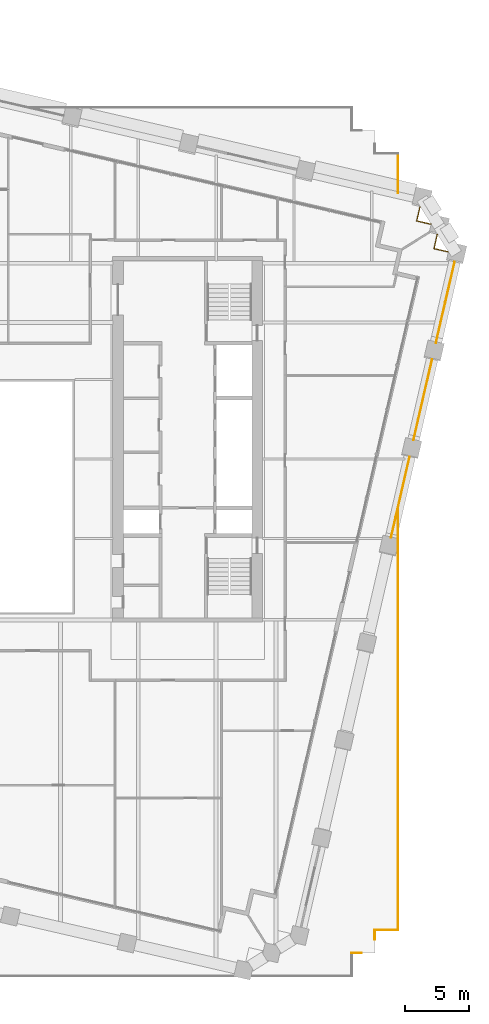
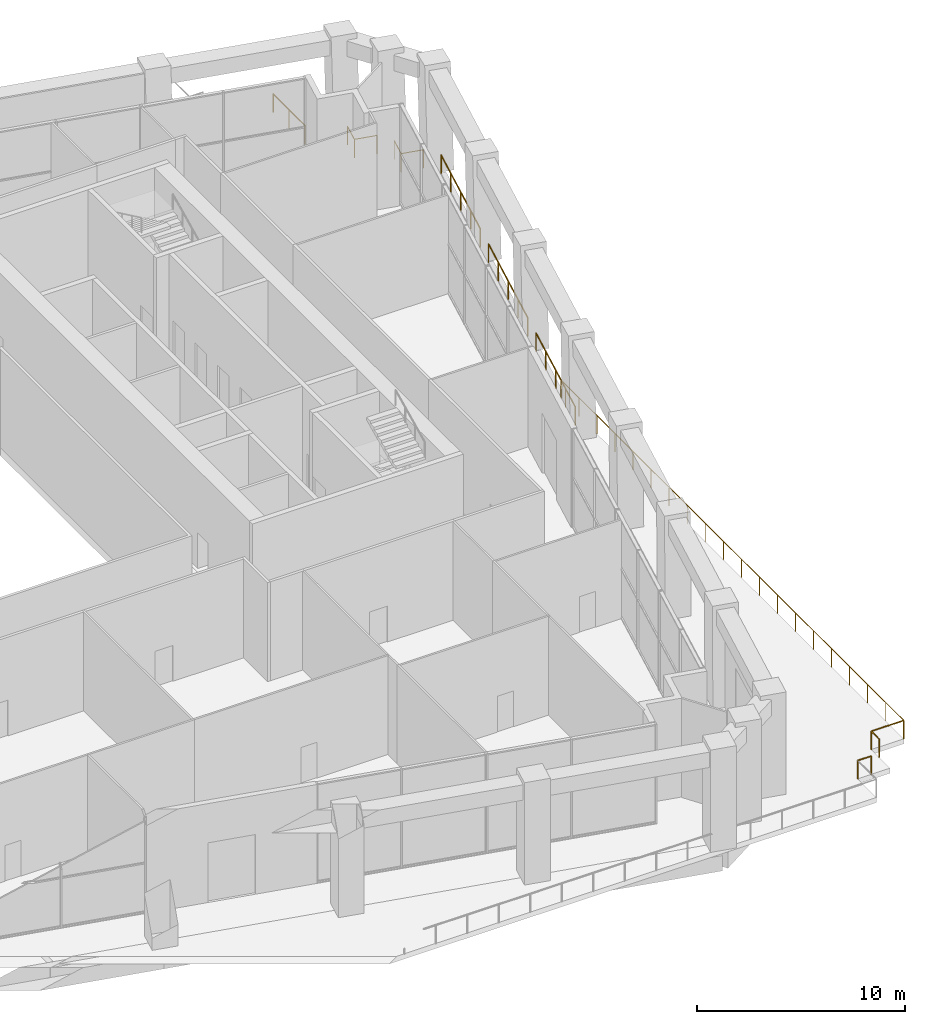
# One storey, part 22 of 23: 10 railings.
"""IFC4 building model written with IfcOpenShell, lengths in metres."""

from ifc_helpers import new_model, si_unit, direction, frame, origin, origin_2d, place, context, subcontext, project, spatial, circle, extrude, material, type_object, element, save


model = new_model("IFC4")

# Units and contexts
model_context = context("Model", 3, precision=1e-05, world=origin(), true_north=direction((0.0, 1.0)))
body_context = subcontext(model_context, "Body", "Model", "MODEL_VIEW")
ifc_project = project(units=[si_unit("LENGTHUNIT", "METRE"), si_unit("AREAUNIT", "SQUARE_METRE"), si_unit("VOLUMEUNIT", "CUBIC_METRE"), si_unit("PLANEANGLEUNIT", "RADIAN"), si_unit("MASSUNIT", "GRAM", prefix="KILO")], contexts=[model_context])

# Site, building, storey
site_placement = place(None, origin())
site = spatial("IfcSite", under=ifc_project, at=site_placement, CompositionType="ELEMENT")
building_placement = place(site_placement, origin())
building = spatial("IfcBuilding", under=site, at=building_placement, Name="Ogive Exchange Tower", CompositionType="ELEMENT")
storey_placement = place(building_placement, frame((0.0, 0.0, 99.60009765625)))
storey = spatial("IfcBuildingStorey", under=building, at=storey_placement, Name="L21", CompositionType="ELEMENT", Elevation=99.60009765625)

# Railings
ifc_material = material(Name="Stainless steel 316", Category="steel")
railing_type_1 = type_object("IfcRailingType", Name="Balustrade 1100 glass and stainless steel", PredefinedType="BALUSTRADE", material=ifc_material)
railing_1_placement = place(storey_placement, frame((32.39990234375, -26.800048828125, 0.0)))
element("IfcRailing", 1, at=railing_1_placement, inside=storey, type_object=railing_type_1, Name="Terrace balustrade 1", PredefinedType="BALUSTRADE", context=body_context, shape_type="SweptSolid", body=[
    extrude(circle(Radius=0.02392578125, at=origin_2d()), frame((0.0, 0.0, 1.076171875), z_axis=(-1.0, 0.0, 0.0), x_axis=(0.0, -1.0, 0.0)), (0.0, 0.0, 1.0), 1.7998046875),
    extrude(circle(Radius=0.02099609375, at=origin_2d()), origin(), (0.0, 0.0, 1.0), 1.052001953125),
    extrude(circle(Radius=0.02099609375, at=origin_2d()), frame((-1.7998046875, 0.0, 0.0)), (0.0, 0.0, 1.0), 1.052001953125),
])
railing_2_placement = place(storey_placement, frame((30.60009765625, -26.800048828125, 0.0)))
element("IfcRailing", 2, at=railing_2_placement, inside=storey, type_object=railing_type_1, Name="Terrace balustrade 2", PredefinedType="BALUSTRADE", context=body_context, shape_type="SweptSolid", body=[
    extrude(circle(Radius=0.02392578125, at=origin_2d()), frame((0.0, 0.0, 1.076171875), z_axis=(0.0, -1.0, 0.0), x_axis=(1.0, 0.0, 0.0)), (0.0, 0.0, 1.0), 0.75),
    extrude(circle(Radius=0.02099609375, at=origin_2d()), origin(), (0.0, 0.0, 1.0), 1.052001953125),
    extrude(circle(Radius=0.02099609375, at=origin_2d()), frame((0.0, -0.75, 0.0)), (0.0, 0.0, 1.0), 1.052001953125),
])
railing_3_placement = place(storey_placement, frame((29.550048828125, -28.60009765625, 0.0)))
element("IfcRailing", 3, at=railing_3_placement, inside=storey, type_object=railing_type_1, Name="Terrace balustrade 3", PredefinedType="BALUSTRADE", context=body_context, shape_type="SweptSolid", body=[
    extrude(circle(Radius=0.02392578125, at=origin_2d()), frame((0.0, 0.0, 1.076171875), z_axis=(-1.0, 0.0, 0.0), x_axis=(0.0, -1.0, 0.0)), (0.0, 0.0, 1.0), 0.75),
    extrude(circle(Radius=0.02099609375, at=origin_2d()), origin(), (0.0, 0.0, 1.0), 1.052001953125),
    extrude(circle(Radius=0.02099609375, at=origin_2d()), frame((-0.75, 0.0, 0.0)), (0.0, 0.0, 1.0), 1.052001953125),
])
railing_4_placement = place(storey_placement, frame((32.39990234375, 6.142578125, 0.0)))
element("IfcRailing", 4, at=railing_4_placement, inside=storey, type_object=railing_type_1, Name="Terrace balustrade 11", PredefinedType="BALUSTRADE", context=body_context, shape_type="SweptSolid", body=[
    extrude(circle(Radius=0.02392578125, at=origin_2d()), frame((0.0, 0.0, 1.076171875), z_axis=(0.0, -1.0, 0.0), x_axis=(1.0, 0.0, 0.0)), (0.0, 0.0, 1.0), 32.942626953125),
    extrude(circle(Radius=0.02099609375, at=origin_2d()), origin(), (0.0, 0.0, 1.0), 1.052001953125),
    extrude(circle(Radius=0.02099609375, at=origin_2d()), frame((0.0, -1.73388671875, 0.0)), (0.0, 0.0, 1.0), 1.052001953125),
    extrude(circle(Radius=0.02099609375, at=origin_2d()), frame((0.0, -3.467529296875, 0.0)), (0.0, 0.0, 1.0), 1.052001953125),
    extrude(circle(Radius=0.02099609375, at=origin_2d()), frame((0.0, -5.201416015625, 0.0)), (0.0, 0.0, 1.0), 1.052001953125),
    extrude(circle(Radius=0.02099609375, at=origin_2d()), frame((0.0, -6.935302734375, 0.0)), (0.0, 0.0, 1.0), 1.052001953125),
    extrude(circle(Radius=0.02099609375, at=origin_2d()), frame((0.0, -8.669189453125, 0.0)), (0.0, 0.0, 1.0), 1.052001953125),
    extrude(circle(Radius=0.02099609375, at=origin_2d()), frame((0.0, -10.40283203125, 0.0)), (0.0, 0.0, 1.0), 1.052001953125),
    extrude(circle(Radius=0.02099609375, at=origin_2d()), frame((0.0, -12.13671875, 0.0)), (0.0, 0.0, 1.0), 1.052001953125),
    extrude(circle(Radius=0.02099609375, at=origin_2d()), frame((0.0, -13.87060546875, 0.0)), (0.0, 0.0, 1.0), 1.052001953125),
    extrude(circle(Radius=0.02099609375, at=origin_2d()), frame((0.0, -15.6044921875, 0.0)), (0.0, 0.0, 1.0), 1.052001953125),
    extrude(circle(Radius=0.02099609375, at=origin_2d()), frame((0.0, -17.338134765625, 0.0)), (0.0, 0.0, 1.0), 1.052001953125),
    extrude(circle(Radius=0.02099609375, at=origin_2d()), frame((0.0, -19.072021484375, 0.0)), (0.0, 0.0, 1.0), 1.052001953125),
    extrude(circle(Radius=0.02099609375, at=origin_2d()), frame((0.0, -20.805908203125, 0.0)), (0.0, 0.0, 1.0), 1.052001953125),
    extrude(circle(Radius=0.02099609375, at=origin_2d()), frame((0.0, -22.539794921875, 0.0)), (0.0, 0.0, 1.0), 1.052001953125),
    extrude(circle(Radius=0.02099609375, at=origin_2d()), frame((0.0, -24.2734375, 0.0)), (0.0, 0.0, 1.0), 1.052001953125),
    extrude(circle(Radius=0.02099609375, at=origin_2d()), frame((0.0, -26.00732421875, 0.0)), (0.0, 0.0, 1.0), 1.052001953125),
    extrude(circle(Radius=0.02099609375, at=origin_2d()), frame((0.0, -27.7412109375, 0.0)), (0.0, 0.0, 1.0), 1.052001953125),
    extrude(circle(Radius=0.02099609375, at=origin_2d()), frame((0.0, -29.47509765625, 0.0)), (0.0, 0.0, 1.0), 1.052001953125),
    extrude(circle(Radius=0.02099609375, at=origin_2d()), frame((0.0, -31.208740234375, 0.0)), (0.0, 0.0, 1.0), 1.052001953125),
    extrude(circle(Radius=0.02099609375, at=origin_2d()), frame((0.0, -32.942626953125, 0.0)), (0.0, 0.0, 1.0), 1.052001953125),
])
railing_5_placement = place(storey_placement, frame((32.39990234375, 33.800048828125, 0.0)))
element("IfcRailing", 5, at=railing_5_placement, inside=storey, type_object=railing_type_1, Name="Terrace balustrade 22", PredefinedType="BALUSTRADE", context=body_context, shape_type="SweptSolid", body=[
    extrude(circle(Radius=0.02392578125, at=origin_2d()), frame((0.0, 0.0, 1.076171875), z_axis=(0.0, -1.0, 0.0), x_axis=(1.0, 0.0, 0.0)), (0.0, 0.0, 1.0), 3.0673828125),
    extrude(circle(Radius=0.02099609375, at=origin_2d()), origin(), (0.0, 0.0, 1.0), 1.052001953125),
    extrude(circle(Radius=0.02099609375, at=origin_2d()), frame((0.0, -1.53369140625, 0.0)), (0.0, 0.0, 1.0), 1.052001953125),
    extrude(circle(Radius=0.02099609375, at=origin_2d()), frame((0.0, -3.0673828125, 0.0)), (0.0, 0.0, 1.0), 1.052001953125),
])
railing_type_2 = type_object("IfcRailingType", Name="Guard 1100 stainless steel and glass", PredefinedType="GUARDRAIL", material=ifc_material)
railing_6_placement = place(storey_placement, frame((31.86669921875, 3.833251953125, 0.0)))
element("IfcRailing", 6, at=railing_6_placement, inside=storey, type_object=railing_type_2, Name="Loggia guard E04", PredefinedType="GUARDRAIL", context=body_context, shape_type="SweptSolid", body=[
    extrude(circle(Radius=0.02392578125, at=origin_2d()), frame((0.0, 0.0, 1.076171875), z_axis=(0.224978190169, 0.974363799588, 0.0), x_axis=(-0.974363799588, 0.224978190169, 0.0)), (0.0, 0.0, 1.0), 6.4599609375),
    extrude(circle(Radius=0.02099609375, at=origin_2d()), origin(), (0.0, 0.0, 1.0), 1.052001953125),
    extrude(circle(Radius=0.02099609375, at=origin_2d()), frame((0.36328125, 1.57373046875, 0.0)), (0.0, 0.0, 1.0), 1.052001953125),
    extrude(circle(Radius=0.02099609375, at=origin_2d()), frame((0.7265625, 3.147216796875, 0.0)), (0.0, 0.0, 1.0), 1.052001953125),
    extrude(circle(Radius=0.02099609375, at=origin_2d()), frame((1.090087890625, 4.720703125, 0.0)), (0.0, 0.0, 1.0), 1.052001953125),
    extrude(circle(Radius=0.02099609375, at=origin_2d()), frame((1.453369140625, 6.29443359375, 0.0)), (0.0, 0.0, 1.0), 1.052001953125),
])
railing_7_placement = place(storey_placement, frame((33.62158203125, 11.433349609375, 0.0)))
element("IfcRailing", 7, at=railing_7_placement, inside=storey, type_object=railing_type_2, Name="Loggia guard E05", PredefinedType="GUARDRAIL", context=body_context, shape_type="SweptSolid", body=[
    extrude(circle(Radius=0.02392578125, at=origin_2d()), frame((0.0, 0.0, 1.076171875), z_axis=(0.224942310176, 0.974372083494, 0.0), x_axis=(-0.974372083494, 0.224942310176, 0.0)), (0.0, 0.0, 1.0), 6.4599609375),
    extrude(circle(Radius=0.02099609375, at=origin_2d()), origin(), (0.0, 0.0, 1.0), 1.052001953125),
    extrude(circle(Radius=0.02099609375, at=origin_2d()), frame((0.36328125, 1.57373046875, 0.0)), (0.0, 0.0, 1.0), 1.052001953125),
    extrude(circle(Radius=0.02099609375, at=origin_2d()), frame((0.7265625, 3.147216796875, 0.0)), (0.0, 0.0, 1.0), 1.052001953125),
    extrude(circle(Radius=0.02099609375, at=origin_2d()), frame((1.08984375, 4.720703125, 0.0)), (0.0, 0.0, 1.0), 1.052001953125),
    extrude(circle(Radius=0.02099609375, at=origin_2d()), frame((1.453125, 6.29443359375, 0.0)), (0.0, 0.0, 1.0), 1.052001953125),
])
railing_8_placement = place(storey_placement, frame((35.376220703125, 19.033203125, 0.0)))
element("IfcRailing", 8, at=railing_8_placement, inside=storey, type_object=railing_type_2, Name="Loggia guard E06", PredefinedType="GUARDRAIL", context=body_context, shape_type="SweptSolid", body=[
    extrude(circle(Radius=0.02392578125, at=origin_2d()), frame((0.0, 0.0, 1.076171875), z_axis=(0.224934027157, 0.974373995664, 0.0), x_axis=(-0.974373995664, 0.224934027157, 0.0)), (0.0, 0.0, 1.0), 6.460205078125),
    extrude(circle(Radius=0.02099609375, at=origin_2d()), origin(), (0.0, 0.0, 1.0), 1.052001953125),
    extrude(circle(Radius=0.02099609375, at=origin_2d()), frame((0.36328125, 1.57373046875, 0.0)), (0.0, 0.0, 1.0), 1.052001953125),
    extrude(circle(Radius=0.02099609375, at=origin_2d()), frame((0.7265625, 3.1474609375, 0.0)), (0.0, 0.0, 1.0), 1.052001953125),
    extrude(circle(Radius=0.02099609375, at=origin_2d()), frame((1.08984375, 4.720947265625, 0.0)), (0.0, 0.0, 1.0), 1.052001953125),
    extrude(circle(Radius=0.02099609375, at=origin_2d()), frame((1.453125, 6.294677734375, 0.0)), (0.0, 0.0, 1.0), 1.052001953125),
])
for number, where, name in (
    (9, (36.3271484375, 26.13134765625, 0.0), "Loggia guard C21"),
    (10, (34.978271484375, 28.2900390625, 0.0), "Loggia guard C22"),
):
    element("IfcRailing", number, at=place(storey_placement, frame(where)), inside=storey, type_object=railing_type_2, Name=name, PredefinedType="GUARDRAIL", context=body_context, shape_type="SweptSolid", body=[
        extrude(circle(Radius=0.02392578125, at=origin_2d()), frame((0.0, 0.0, 1.076171875), z_axis=(-0.974380270727, 0.224906842977, 0.0), x_axis=(-0.224906842977, -0.974380270727, 0.0)), (0.0, 0.0, 1.0), 1.130126953125),
        extrude(circle(Radius=0.02392578125, at=origin_2d()), frame((-1.10107421875, 0.254150390625, 1.076171875), z_axis=(0.224906842977, 0.974380270727, 0.0), x_axis=(-0.974380270727, 0.224906842977, 0.0)), (0.0, 0.0, 1.0), 1.130126953125),
        extrude(circle(Radius=0.02099609375, at=origin_2d()), origin(), (0.0, 0.0, 1.0), 1.052001953125),
        extrude(circle(Radius=0.02099609375, at=origin_2d()), frame((-1.10107421875, 0.254150390625, 0.0)), (0.0, 0.0, 1.0), 1.052001953125),
        extrude(circle(Radius=0.02099609375, at=origin_2d()), frame((-0.846923828125, 1.355224609375, 0.0)), (0.0, 0.0, 1.0), 1.052001953125),
    ])

save(model, "model.ifc")
